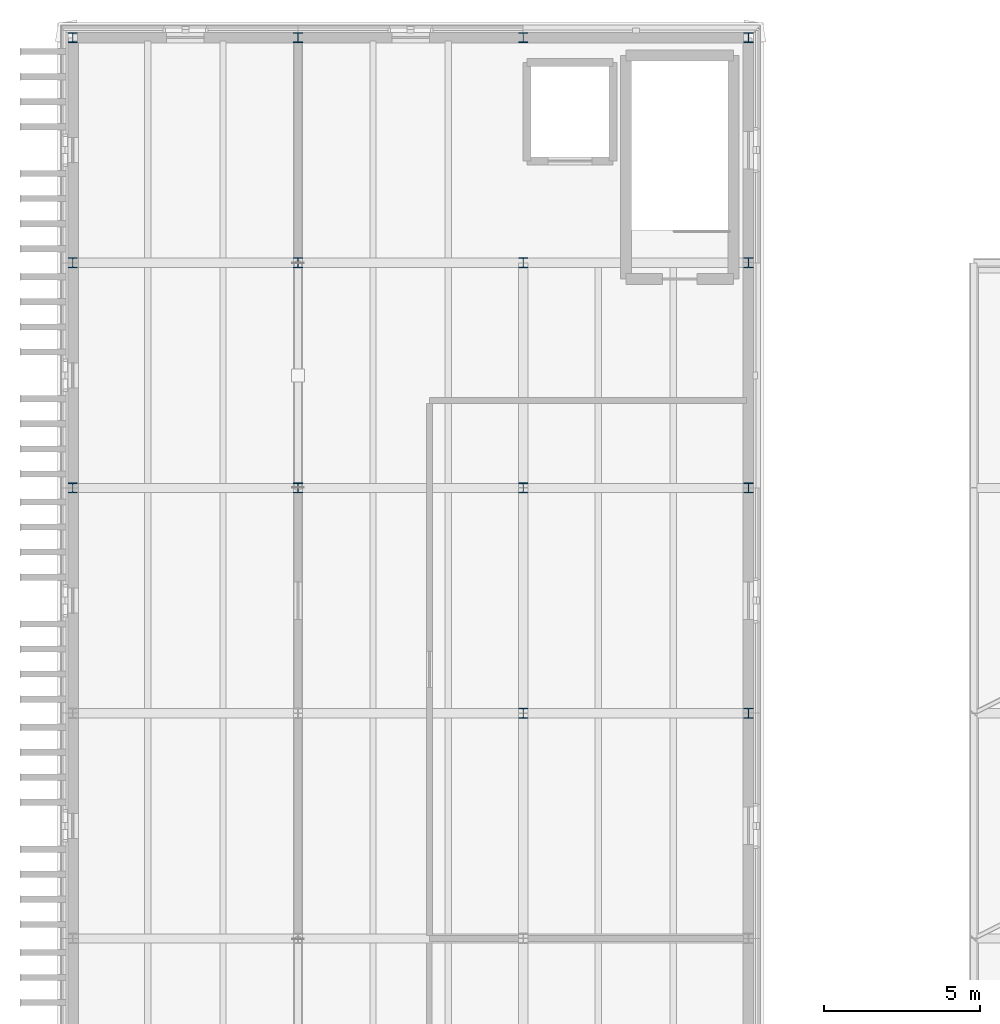
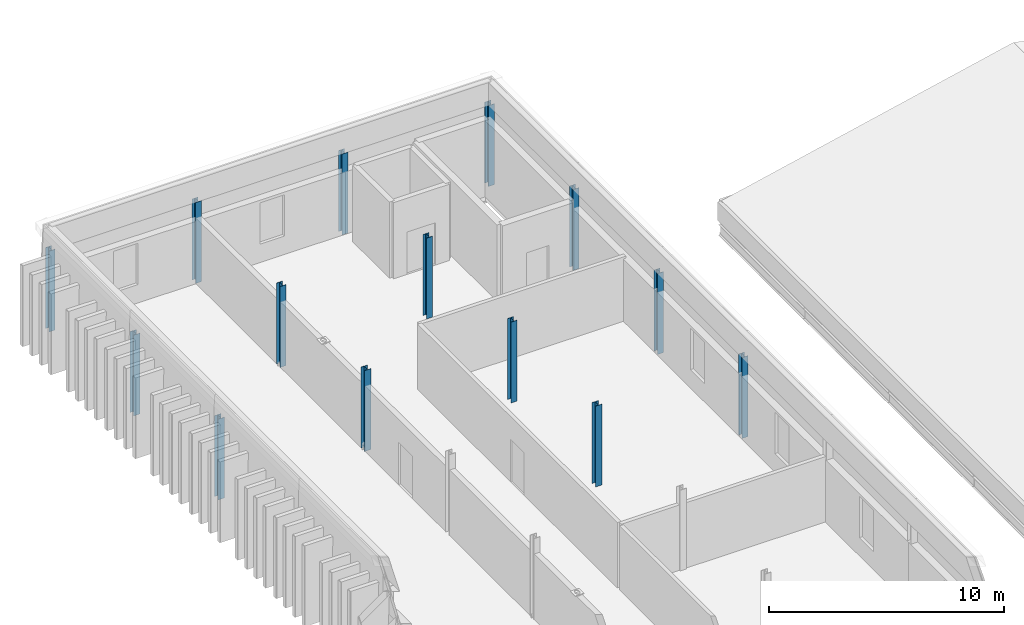
# One storey, part 2 of 44: 14 columns.
"""IFC4 building model written with IfcOpenShell, lengths in metres."""

from ifc_helpers import new_model, si_unit, direction, frame, origin, origin_2d, place, context, subcontext, project, spatial, i_section, extrude, material, material_profile, profile_set, type_object, element, save


model = new_model("IFC4")

# Units and contexts
model_context = context("Model", 3, precision=1e-05, world=origin(), true_north=direction((0.0, 1.0)))
body_context = subcontext(model_context, "Body", "Model", "MODEL_VIEW")
ifc_project = project(units=[si_unit("LENGTHUNIT", "METRE"), si_unit("AREAUNIT", "SQUARE_METRE"), si_unit("VOLUMEUNIT", "CUBIC_METRE"), si_unit("PLANEANGLEUNIT", "RADIAN"), si_unit("MASSUNIT", "GRAM", prefix="KILO")], contexts=[model_context])

# Site, building, storey
site_placement = place(None, origin())
site = spatial("IfcSite", under=ifc_project, at=site_placement, CompositionType="ELEMENT")
building_placement = place(site_placement, origin())
building = spatial("IfcBuilding", under=site, at=building_placement, Name="Narikvali Park Central Library", CompositionType="ELEMENT")
storey_placement = place(building_placement, frame((0.0, 0.0, 22.800048828125)))
storey = spatial("IfcBuildingStorey", under=building, at=storey_placement, Name="L05", CompositionType="ELEMENT", Elevation=22.800048828125)

# Columns
ifc_material = material(Name="Steel S355", Category="steel")
ifc_material_profile = material_profile(ifc_material, i_section(OverallWidth=0.300048828125, OverallDepth=0.320068359375, WebThickness=0.011474609375, FlangeThickness=0.0205078125, FilletRadius=0.027099609375, at=origin_2d()), Name="HEB 320")
ifc_profile_set = profile_set([ifc_material_profile], Name="Steel S355")
column_type = type_object("IfcColumnType", Name="Steel Column HEB320", PredefinedType="COLUMN", material=ifc_profile_set)
for number, where, z_axis, x_axis, name in (
    (1, (0.0, 93.60009765625, 0.0), (0.0, 0.0, 1.0), (1.0, 0.0, 0.0), "V5 L05 Column (0.0,93.6)"),
    (2, (0.0, 100.800048828125, 0.0), (0.0, 0.0, 1.0), (1.0, 0.0, 0.0), "V5 L05 Column (0.0,100.8)"),
    (3, (0.0, 108.0, 0.0), (0.0, 0.0, 1.0), (1.0, 0.0, 0.0), "V5 L05 Column (0.0,108.0)"),
    (4, (7.199951171875, 93.60009765625, 0.0), (0.0, 0.0, 1.0), (1.0, 0.0, 0.0), "V5 L05 Column (7.2,93.6)"),
    (5, (7.199951171875, 100.800048828125, 0.0), (0.0, 0.0, 1.0), (1.0, 0.0, 0.0), "V5 L05 Column (7.2,100.8)"),
    (6, (7.199951171875, 108.0, 0.0), (0.0, 0.0, 1.0), (1.0, 0.0, 0.0), "V5 L05 Column (7.2,108.0)"),
    (7, (14.39990234375, 86.39990234375, 0.0), (0.0, 0.0, 1.0), (1.0, 0.0, 0.0), "V5 L05 Column (14.4,86.4)"),
    (8, (14.39990234375, 93.60009765625, 0.0), (0.0, 0.0, 1.0), (1.0, 0.0, 0.0), "V5 L05 Column (14.4,93.6)"),
    (9, (14.39990234375, 100.800048828125, 0.0), (0.0, 0.0, 1.0), (1.0, 0.0, 0.0), "V5 L05 Column (14.4,100.8)"),
    (10, (14.39990234375, 108.0, 0.0), (0.0, 0.0, 1.0), (1.0, 0.0, 0.0), "V5 L05 Column (14.4,108.0)"),
    (11, (21.60009765625, 86.39990234375, 0.0), (0.0, 0.0, 1.0), (1.0, 0.0, 0.0), "V5 L05 Column (21.6,86.4)"),
    (12, (21.60009765625, 93.60009765625, 0.0), (0.0, 0.0, 1.0), (1.0, 0.0, 0.0), "V5 L05 Column (21.6,93.6)"),
    (13, (21.60009765625, 100.800048828125, 0.0), (0.0, 0.0, 1.0), (1.0, 0.0, 0.0), "V5 L05 Column (21.6,100.8)"),
    (14, (21.60009765625, 108.0, 0.0), (0.0, 0.0, 1.0), (1.0, 0.0, 0.0), "V5 L05 Column (21.6,108.0)"),
):
    element("IfcColumn", number, at=place(storey_placement, frame(where, z_axis=z_axis, x_axis=x_axis)), inside=storey, type_object=column_type, Name=name, PredefinedType="COLUMN", context=body_context, shape_type="SweptSolid", body=[
        extrude(i_section(OverallWidth=0.300048828125, OverallDepth=0.320068359375, WebThickness=0.011474609375, FlangeThickness=0.0205078125, FilletRadius=0.027099609375, at=origin_2d()), origin(), (0.0, 0.0, 1.0), 4.199951171875),
    ])

save(model, "model.ifc")
